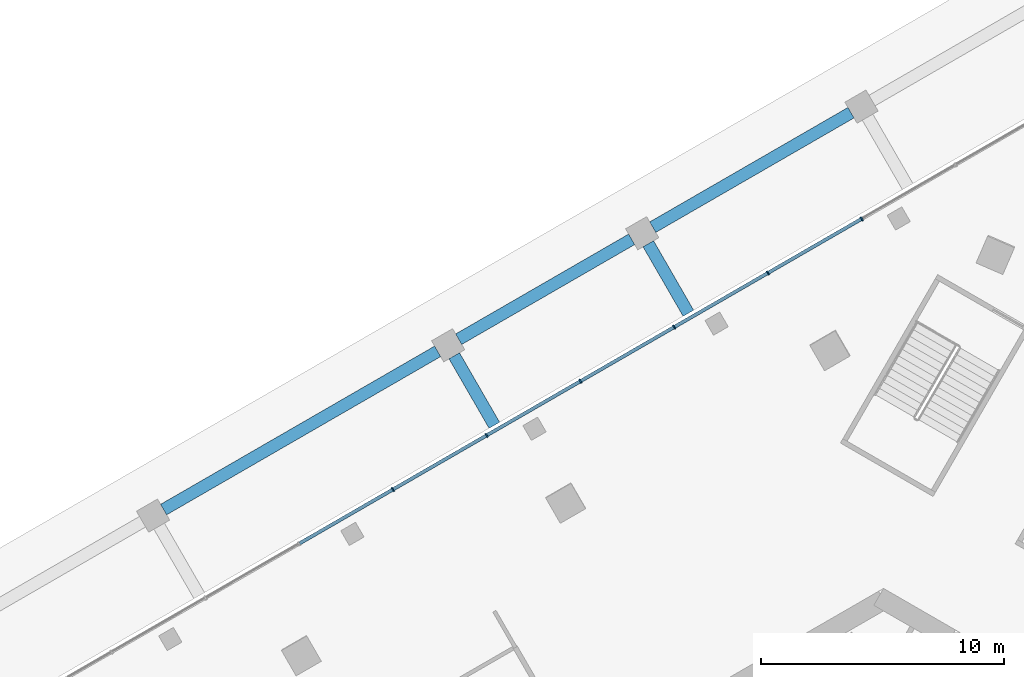
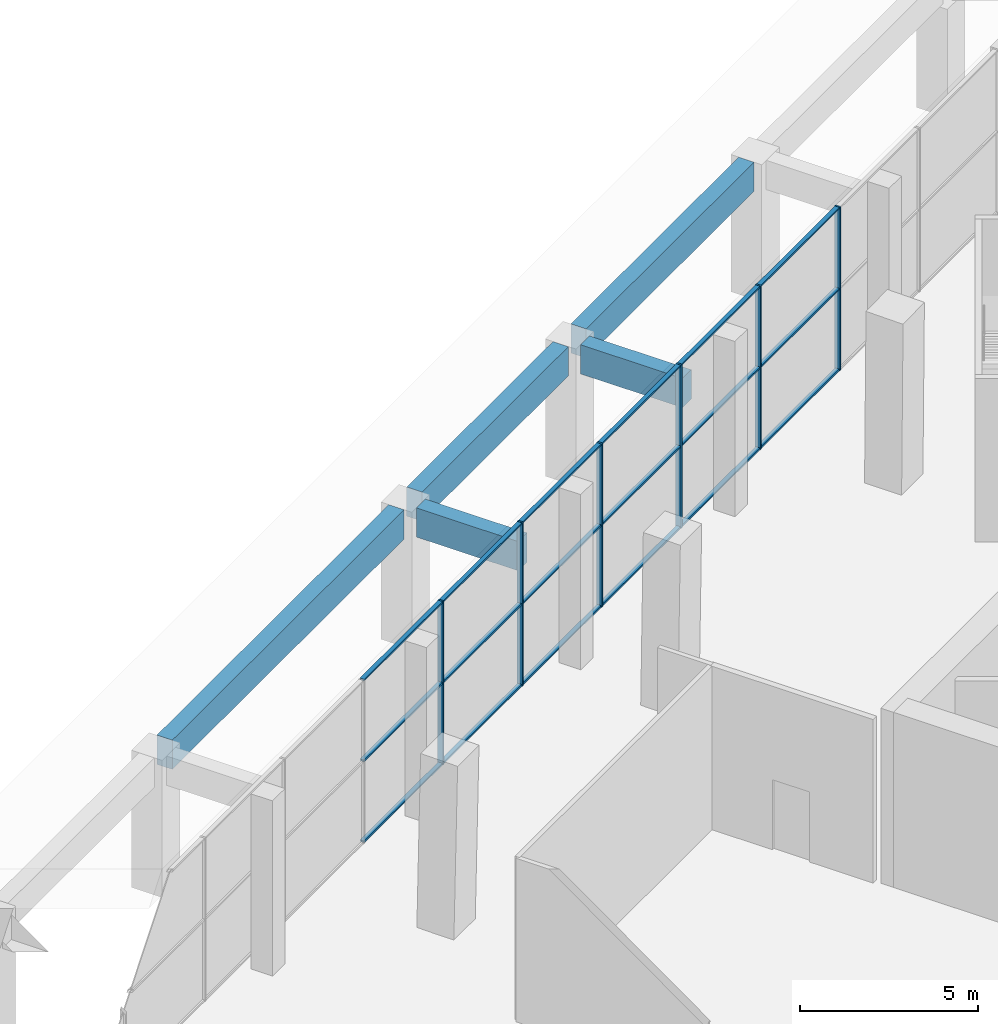
# One storey, part 13 of 51: 24 members, 5 beams, 1 element without a shape of its own.
"""IFC4 building model written with IfcOpenShell, lengths in metres."""

from ifc_helpers import new_model, si_unit, direction, frame, origin, origin_2d, place, context, subcontext, project, spatial, rectangle, extrude, material, layer, layer_set, material_profile, profile_set, type_object, element, aggregate, save


model = new_model("IFC4")

# Units and contexts
model_context = context("Model", 3, precision=1e-05, world=origin(), true_north=direction((0.0, 1.0)))
body_context = subcontext(model_context, "Body", "Model", "MODEL_VIEW")
ifc_project = project(units=[si_unit("LENGTHUNIT", "METRE"), si_unit("AREAUNIT", "SQUARE_METRE"), si_unit("VOLUMEUNIT", "CUBIC_METRE"), si_unit("PLANEANGLEUNIT", "RADIAN"), si_unit("MASSUNIT", "GRAM", prefix="KILO")], contexts=[model_context])

# Site, building, storey
site_placement = place(None, origin())
site = spatial("IfcSite", under=ifc_project, at=site_placement, CompositionType="ELEMENT")
building_placement = place(site_placement, origin())
building = spatial("IfcBuilding", under=site, at=building_placement, Name="Jabali Bay Hotel Tower and Convention Centre", CompositionType="ELEMENT")
storey_placement = place(building_placement, frame((0.0, 0.0, 9.0)))
storey = spatial("IfcBuildingStorey", under=building, at=storey_placement, Name="L01", CompositionType="ELEMENT", Elevation=9.0)

# Beams
ifc_material_1 = material(Name="Concrete C40", Category="concrete")
ifc_material_profile_1 = material_profile(ifc_material_1, rectangle(XDim=0.5, YDim=1.0, at=origin_2d()), Name="RC 500x1000")
ifc_profile_set_1 = profile_set([ifc_material_profile_1], Name="Concrete C40")
beam_type = type_object("IfcBeamType", Name="Arcade Edge Beam 500x1000", PredefinedType="BEAM", material=ifc_profile_set_1)
beam_1_placement = place(storey_placement, frame((85.38427734375, 123.523193359375, 4.199951171875), z_axis=(-0.866021981908, -0.500005926817, 0.0), x_axis=(0.500005926817, -0.866021981908, 0.0)))
element("IfcBeam", 1, at=beam_1_placement, inside=storey, type_object=beam_type, Name="Arcade edge beam 4", PredefinedType="BEAM", context=body_context, shape_type="SweptSolid", body=[
    extrude(rectangle(XDim=0.5, YDim=1.0, at=origin_2d()), origin(), (0.0, 0.0, 1.0), 9.41845703125),
])
beam_2_placement = place(storey_placement, frame((76.36181640625, 118.31396484375, 4.199951171875), z_axis=(-0.866024310987, -0.500001892776, 0.0), x_axis=(0.500001892776, -0.866024310987, 0.0)))
element("IfcBeam", 2, at=beam_2_placement, inside=storey, type_object=beam_type, Name="Arcade edge beam 5", PredefinedType="BEAM", context=body_context, shape_type="SweptSolid", body=[
    extrude(rectangle(XDim=0.5, YDim=1.0, at=origin_2d()), origin(), (0.0, 0.0, 1.0), 8.21826171875),
])
beam_3_placement = place(storey_placement, frame((68.378662109375, 113.704833984375, 4.199951171875), z_axis=(-0.866029123656, -0.499993556937, 0.0), x_axis=(0.499993556937, -0.866029123656, 0.0)))
element("IfcBeam", 3, at=beam_3_placement, inside=storey, type_object=beam_type, Name="Arcade edge beam 6", PredefinedType="BEAM", context=body_context, shape_type="SweptSolid", body=[
    extrude(rectangle(XDim=0.5, YDim=1.0, at=origin_2d()), origin(), (0.0, 0.0, 1.0), 13.018310546875),
])
for number, where, z_axis, x_axis, name in (
    (4, (77.044921875, 118.131103515625, 4.199951171875), (0.499974350878, -0.866040211805, 0.0), (0.866040211805, 0.499974350878, 0.0), "Arcade cross beam 3"),
    (5, (69.061767578125, 113.52197265625, 4.199951171875), (0.499974350878, -0.866040211805, 0.0), (0.866040211805, 0.499974350878, 0.0), "Arcade cross beam 4"),
):
    element("IfcBeam", number, at=place(storey_placement, frame(where, z_axis=z_axis, x_axis=x_axis)), inside=storey, type_object=beam_type, Name=name, PredefinedType="BEAM", context=body_context, shape_type="SweptSolid", body=[
        extrude(rectangle(XDim=0.5, YDim=1.0, at=origin_2d()), origin(), (0.0, 0.0, 1.0), 3.300048828125),
    ])

# Curtain wall, members
ifc_material_2 = material(Name="Aluminium and glass", Category="aluminium")
ifc_layer = layer(ifc_material_2, 0.179931640625)
ifc_layer_set = layer_set([ifc_layer], Name="Aluminium and glass")
curtain_wall_type = type_object("IfcCurtainWallType", Name="CW1 curtain wall", PredefinedType="NOTDEFINED", material=ifc_layer_set)
curtain_wall_placement = place(storey_placement, origin())
curtain_wall = element("IfcCurtainWall", 6, at=curtain_wall_placement, inside=storey, type_object=curtain_wall_type, Name="CW1 curtain wall north-west face L01", PredefinedType="NOTDEFINED")
ifc_material_3 = material(Name="Aluminium", Category="aluminium")
ifc_material_profile_2 = material_profile(ifc_material_3, rectangle(XDim=0.179931640625, YDim=0.06005859375, at=origin_2d()), Name="CW1 mullion 60 x 180")
ifc_profile_set_2 = profile_set([ifc_material_profile_2], Name="Aluminium")
member_type_1 = type_object("IfcMemberType", Name="CW1 mullion 60 x 180", PredefinedType="MULLION", material=ifc_profile_set_2)
member_1_placement = place(storey_placement, frame((66.53662109375, 108.022705078125, 0.0), z_axis=(0.0, 0.0, 1.0), x_axis=(-0.499999999441, 0.866025404107, 0.0)))
member_1 = element("IfcMember", 7, at=member_1_placement, type_object=member_type_1, Name="CW1 mullion 11", PredefinedType="MULLION", context=body_context, shape_type="SweptSolid", body=[
    extrude(rectangle(XDim=0.179931640625, YDim=0.06005859375, at=origin_2d()), origin(), (0.0, 0.0, 1.0), 5.60009765625),
])
member_2_placement = place(storey_placement, frame((70.394287109375, 110.25, 0.0), z_axis=(0.0, 0.0, 1.0), x_axis=(-0.499999999441, 0.866025404107, 0.0)))
member_2 = element("IfcMember", 8, at=member_2_placement, type_object=member_type_1, Name="CW1 mullion 12", PredefinedType="MULLION", context=body_context, shape_type="SweptSolid", body=[
    extrude(rectangle(XDim=0.179931640625, YDim=0.06005859375, at=origin_2d()), origin(), (0.0, 0.0, 1.0), 5.60009765625),
])
member_3_placement = place(storey_placement, frame((74.251953125, 112.47705078125, 0.0), z_axis=(0.0, 0.0, 1.0), x_axis=(-0.499999999441, 0.866025404107, 0.0)))
member_3 = element("IfcMember", 9, at=member_3_placement, type_object=member_type_1, Name="CW1 mullion 13", PredefinedType="MULLION", context=body_context, shape_type="SweptSolid", body=[
    extrude(rectangle(XDim=0.179931640625, YDim=0.06005859375, at=origin_2d()), origin(), (0.0, 0.0, 1.0), 5.60009765625),
])
member_4_placement = place(storey_placement, frame((78.10986328125, 114.704345703125, 0.0), z_axis=(0.0, 0.0, 1.0), x_axis=(-0.499999999441, 0.866025404107, 0.0)))
member_4 = element("IfcMember", 10, at=member_4_placement, type_object=member_type_1, Name="CW1 mullion 14", PredefinedType="MULLION", context=body_context, shape_type="SweptSolid", body=[
    extrude(rectangle(XDim=0.179931640625, YDim=0.06005859375, at=origin_2d()), origin(), (0.0, 0.0, 1.0), 5.60009765625),
])
member_5_placement = place(storey_placement, frame((81.967529296875, 116.931640625, 0.0), z_axis=(0.0, 0.0, 1.0), x_axis=(-0.499999999441, 0.866025404107, 0.0)))
member_5 = element("IfcMember", 11, at=member_5_placement, type_object=member_type_1, Name="CW1 mullion 15", PredefinedType="MULLION", context=body_context, shape_type="SweptSolid", body=[
    extrude(rectangle(XDim=0.179931640625, YDim=0.06005859375, at=origin_2d()), origin(), (0.0, 0.0, 1.0), 5.60009765625),
])
member_6_placement = place(storey_placement, frame((85.8251953125, 119.158935546875, 0.0), z_axis=(0.0, 0.0, 1.0), x_axis=(-0.499999999441, 0.866025404107, 0.0)))
member_6 = element("IfcMember", 12, at=member_6_placement, type_object=member_type_1, Name="CW1 mullion 16", PredefinedType="MULLION", context=body_context, shape_type="SweptSolid", body=[
    extrude(rectangle(XDim=0.179931640625, YDim=0.06005859375, at=origin_2d()), origin(), (0.0, 0.0, 1.0), 5.60009765625),
])
ifc_material_profile_3 = material_profile(ifc_material_3, rectangle(XDim=0.139892578125, YDim=0.06005859375, at=origin_2d()), Name="CW1 transom 60 x 140")
ifc_profile_set_3 = profile_set([ifc_material_profile_3], Name="Aluminium")
member_type_2 = type_object("IfcMemberType", Name="CW1 transom 60 x 140", PredefinedType="USERDEFINED", material=ifc_profile_set_3)
member_7_placement = place(storey_placement, frame((62.704833984375, 105.810302734375, 0.030029296875), z_axis=(0.866019052629, 0.500011000363, 0.0), x_axis=(-0.500011000363, 0.866019052629, 0.0)))
member_7 = element("IfcMember", 13, at=member_7_placement, type_object=member_type_2, Name="CW1 transom 10.1", ObjectType="TRANSOM", PredefinedType="USERDEFINED", context=body_context, shape_type="SweptSolid", body=[
    extrude(rectangle(XDim=0.139892578125, YDim=0.06005859375, at=origin_2d()), origin(), (0.0, 0.0, 1.0), 4.39453125),
])
member_8_placement = place(storey_placement, frame((62.704833984375, 105.810302734375, 2.800048828125), z_axis=(0.866019052629, 0.500011000363, 0.0), x_axis=(-0.500011000363, 0.866019052629, 0.0)))
member_8 = element("IfcMember", 14, at=member_8_placement, type_object=member_type_2, Name="CW1 transom 10.2", ObjectType="TRANSOM", PredefinedType="USERDEFINED", context=body_context, shape_type="SweptSolid", body=[
    extrude(rectangle(XDim=0.139892578125, YDim=0.06005859375, at=origin_2d()), origin(), (0.0, 0.0, 1.0), 4.39453125),
])
member_9_placement = place(storey_placement, frame((62.704833984375, 105.810302734375, 5.570068359375), z_axis=(0.866019052629, 0.500011000363, 0.0), x_axis=(-0.500011000363, 0.866019052629, 0.0)))
member_9 = element("IfcMember", 15, at=member_9_placement, type_object=member_type_2, Name="CW1 transom 10.3", ObjectType="TRANSOM", PredefinedType="USERDEFINED", context=body_context, shape_type="SweptSolid", body=[
    extrude(rectangle(XDim=0.139892578125, YDim=0.06005859375, at=origin_2d()), origin(), (0.0, 0.0, 1.0), 4.39453125),
])
member_10_placement = place(storey_placement, frame((66.5625, 108.03759765625, 0.030029296875), z_axis=(0.866032941432, 0.499986944184, 0.0), x_axis=(-0.499986944184, 0.866032941432, 0.0)))
member_10 = element("IfcMember", 16, at=member_10_placement, type_object=member_type_2, Name="CW1 transom 11.1", ObjectType="TRANSOM", PredefinedType="USERDEFINED", context=body_context, shape_type="SweptSolid", body=[
    extrude(rectangle(XDim=0.139892578125, YDim=0.06005859375, at=origin_2d()), origin(), (0.0, 0.0, 1.0), 4.39453125),
])
member_11_placement = place(storey_placement, frame((66.5625, 108.03759765625, 2.800048828125), z_axis=(0.866032941432, 0.499986944184, 0.0), x_axis=(-0.499986944184, 0.866032941432, 0.0)))
member_11 = element("IfcMember", 17, at=member_11_placement, type_object=member_type_2, Name="CW1 transom 11.2", ObjectType="TRANSOM", PredefinedType="USERDEFINED", context=body_context, shape_type="SweptSolid", body=[
    extrude(rectangle(XDim=0.139892578125, YDim=0.06005859375, at=origin_2d()), origin(), (0.0, 0.0, 1.0), 4.39453125),
])
member_12_placement = place(storey_placement, frame((66.5625, 108.03759765625, 5.570068359375), z_axis=(0.866032941432, 0.499986944184, 0.0), x_axis=(-0.499986944184, 0.866032941432, 0.0)))
member_12 = element("IfcMember", 18, at=member_12_placement, type_object=member_type_2, Name="CW1 transom 11.3", ObjectType="TRANSOM", PredefinedType="USERDEFINED", context=body_context, shape_type="SweptSolid", body=[
    extrude(rectangle(XDim=0.139892578125, YDim=0.06005859375, at=origin_2d()), origin(), (0.0, 0.0, 1.0), 4.39453125),
])
member_13_placement = place(storey_placement, frame((70.42041015625, 110.264892578125, 0.030029296875), z_axis=(0.866019052629, 0.500011000363, 0.0), x_axis=(-0.500011000363, 0.866019052629, 0.0)))
member_13 = element("IfcMember", 19, at=member_13_placement, type_object=member_type_2, Name="CW1 transom 12.1", ObjectType="TRANSOM", PredefinedType="USERDEFINED", context=body_context, shape_type="SweptSolid", body=[
    extrude(rectangle(XDim=0.139892578125, YDim=0.06005859375, at=origin_2d()), origin(), (0.0, 0.0, 1.0), 4.39453125),
])
member_14_placement = place(storey_placement, frame((70.42041015625, 110.264892578125, 2.800048828125), z_axis=(0.866019052629, 0.500011000363, 0.0), x_axis=(-0.500011000363, 0.866019052629, 0.0)))
member_14 = element("IfcMember", 20, at=member_14_placement, type_object=member_type_2, Name="CW1 transom 12.2", ObjectType="TRANSOM", PredefinedType="USERDEFINED", context=body_context, shape_type="SweptSolid", body=[
    extrude(rectangle(XDim=0.139892578125, YDim=0.06005859375, at=origin_2d()), origin(), (0.0, 0.0, 1.0), 4.39453125),
])
member_15_placement = place(storey_placement, frame((70.42041015625, 110.264892578125, 5.570068359375), z_axis=(0.866019052629, 0.500011000363, 0.0), x_axis=(-0.500011000363, 0.866019052629, 0.0)))
member_15 = element("IfcMember", 21, at=member_15_placement, type_object=member_type_2, Name="CW1 transom 12.3", ObjectType="TRANSOM", PredefinedType="USERDEFINED", context=body_context, shape_type="SweptSolid", body=[
    extrude(rectangle(XDim=0.139892578125, YDim=0.06005859375, at=origin_2d()), origin(), (0.0, 0.0, 1.0), 4.39453125),
])
member_16_placement = place(storey_placement, frame((74.278076171875, 112.4921875, 0.030029296875), z_axis=(0.866019052629, 0.500011000363, 0.0), x_axis=(-0.500011000363, 0.866019052629, 0.0)))
member_16 = element("IfcMember", 22, at=member_16_placement, type_object=member_type_2, Name="CW1 transom 13.1", ObjectType="TRANSOM", PredefinedType="USERDEFINED", context=body_context, shape_type="SweptSolid", body=[
    extrude(rectangle(XDim=0.139892578125, YDim=0.06005859375, at=origin_2d()), origin(), (0.0, 0.0, 1.0), 4.39453125),
])
member_17_placement = place(storey_placement, frame((74.278076171875, 112.4921875, 2.800048828125), z_axis=(0.866019052629, 0.500011000363, 0.0), x_axis=(-0.500011000363, 0.866019052629, 0.0)))
member_17 = element("IfcMember", 23, at=member_17_placement, type_object=member_type_2, Name="CW1 transom 13.2", ObjectType="TRANSOM", PredefinedType="USERDEFINED", context=body_context, shape_type="SweptSolid", body=[
    extrude(rectangle(XDim=0.139892578125, YDim=0.06005859375, at=origin_2d()), origin(), (0.0, 0.0, 1.0), 4.39453125),
])
member_18_placement = place(storey_placement, frame((74.278076171875, 112.4921875, 5.570068359375), z_axis=(0.866019052629, 0.500011000363, 0.0), x_axis=(-0.500011000363, 0.866019052629, 0.0)))
member_18 = element("IfcMember", 24, at=member_18_placement, type_object=member_type_2, Name="CW1 transom 13.3", ObjectType="TRANSOM", PredefinedType="USERDEFINED", context=body_context, shape_type="SweptSolid", body=[
    extrude(rectangle(XDim=0.139892578125, YDim=0.06005859375, at=origin_2d()), origin(), (0.0, 0.0, 1.0), 4.39453125),
])
member_19_placement = place(storey_placement, frame((78.1357421875, 114.719482421875, 0.030029296875), z_axis=(0.866032941432, 0.499986944184, 0.0), x_axis=(-0.499986944184, 0.866032941432, 0.0)))
member_19 = element("IfcMember", 25, at=member_19_placement, type_object=member_type_2, Name="CW1 transom 14.1", ObjectType="TRANSOM", PredefinedType="USERDEFINED", context=body_context, shape_type="SweptSolid", body=[
    extrude(rectangle(XDim=0.139892578125, YDim=0.06005859375, at=origin_2d()), origin(), (0.0, 0.0, 1.0), 4.39453125),
])
member_20_placement = place(storey_placement, frame((78.1357421875, 114.719482421875, 2.800048828125), z_axis=(0.866032941432, 0.499986944184, 0.0), x_axis=(-0.499986944184, 0.866032941432, 0.0)))
member_20 = element("IfcMember", 26, at=member_20_placement, type_object=member_type_2, Name="CW1 transom 14.2", ObjectType="TRANSOM", PredefinedType="USERDEFINED", context=body_context, shape_type="SweptSolid", body=[
    extrude(rectangle(XDim=0.139892578125, YDim=0.06005859375, at=origin_2d()), origin(), (0.0, 0.0, 1.0), 4.39453125),
])
member_21_placement = place(storey_placement, frame((78.1357421875, 114.719482421875, 5.570068359375), z_axis=(0.866032941432, 0.499986944184, 0.0), x_axis=(-0.499986944184, 0.866032941432, 0.0)))
member_21 = element("IfcMember", 27, at=member_21_placement, type_object=member_type_2, Name="CW1 transom 14.3", ObjectType="TRANSOM", PredefinedType="USERDEFINED", context=body_context, shape_type="SweptSolid", body=[
    extrude(rectangle(XDim=0.139892578125, YDim=0.06005859375, at=origin_2d()), origin(), (0.0, 0.0, 1.0), 4.39453125),
])
member_22_placement = place(storey_placement, frame((81.993408203125, 116.94677734375, 0.030029296875), z_axis=(0.866032941432, 0.499986944184, 0.0), x_axis=(-0.499986944184, 0.866032941432, 0.0)))
member_22 = element("IfcMember", 28, at=member_22_placement, type_object=member_type_2, Name="CW1 transom 15.1", ObjectType="TRANSOM", PredefinedType="USERDEFINED", context=body_context, shape_type="SweptSolid", body=[
    extrude(rectangle(XDim=0.139892578125, YDim=0.06005859375, at=origin_2d()), origin(), (0.0, 0.0, 1.0), 4.39453125),
])
member_23_placement = place(storey_placement, frame((81.993408203125, 116.94677734375, 2.800048828125), z_axis=(0.866032941432, 0.499986944184, 0.0), x_axis=(-0.499986944184, 0.866032941432, 0.0)))
member_23 = element("IfcMember", 29, at=member_23_placement, type_object=member_type_2, Name="CW1 transom 15.2", ObjectType="TRANSOM", PredefinedType="USERDEFINED", context=body_context, shape_type="SweptSolid", body=[
    extrude(rectangle(XDim=0.139892578125, YDim=0.06005859375, at=origin_2d()), origin(), (0.0, 0.0, 1.0), 4.39453125),
])
member_24_placement = place(storey_placement, frame((81.993408203125, 116.94677734375, 5.570068359375), z_axis=(0.866032941432, 0.499986944184, 0.0), x_axis=(-0.499986944184, 0.866032941432, 0.0)))
member_24 = element("IfcMember", 30, at=member_24_placement, type_object=member_type_2, Name="CW1 transom 15.3", ObjectType="TRANSOM", PredefinedType="USERDEFINED", context=body_context, shape_type="SweptSolid", body=[
    extrude(rectangle(XDim=0.139892578125, YDim=0.06005859375, at=origin_2d()), origin(), (0.0, 0.0, 1.0), 4.39453125),
])
aggregate(curtain_wall, [member_1, member_2, member_3, member_4, member_5, member_6, member_7, member_8, member_9, member_10, member_11, member_12, member_13, member_14, member_15, member_16, member_17, member_18, member_19, member_20, member_21, member_22, member_23, member_24])

save(model, "model.ifc")
